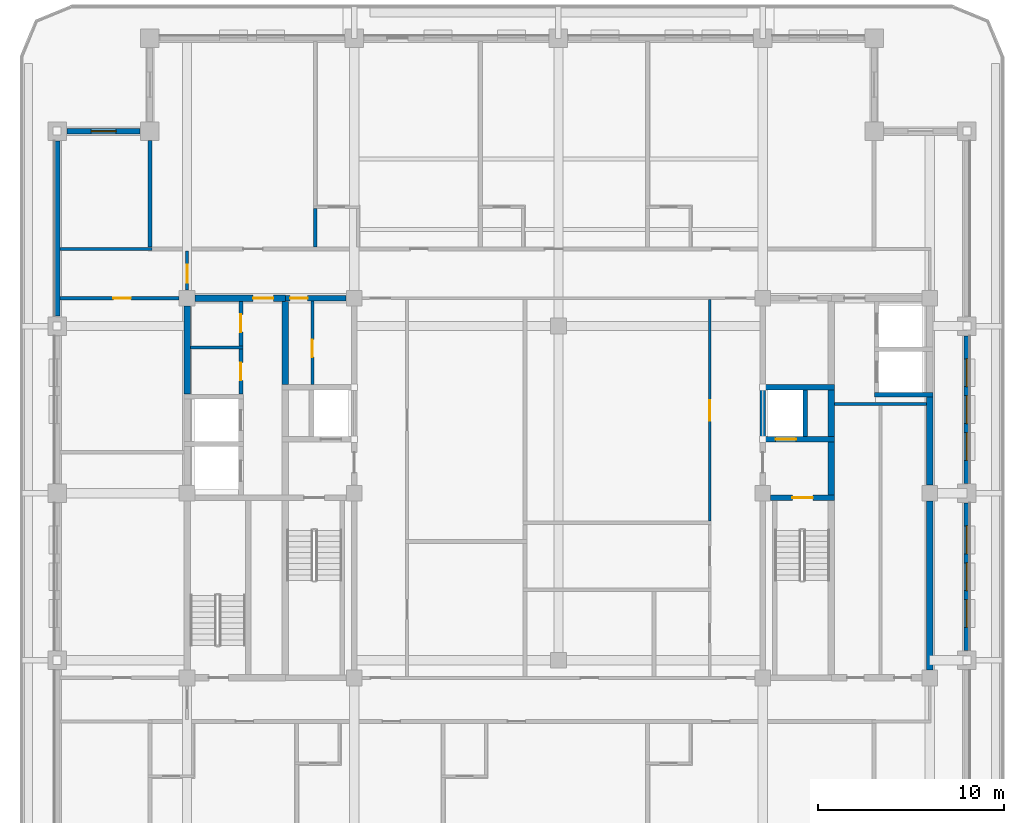
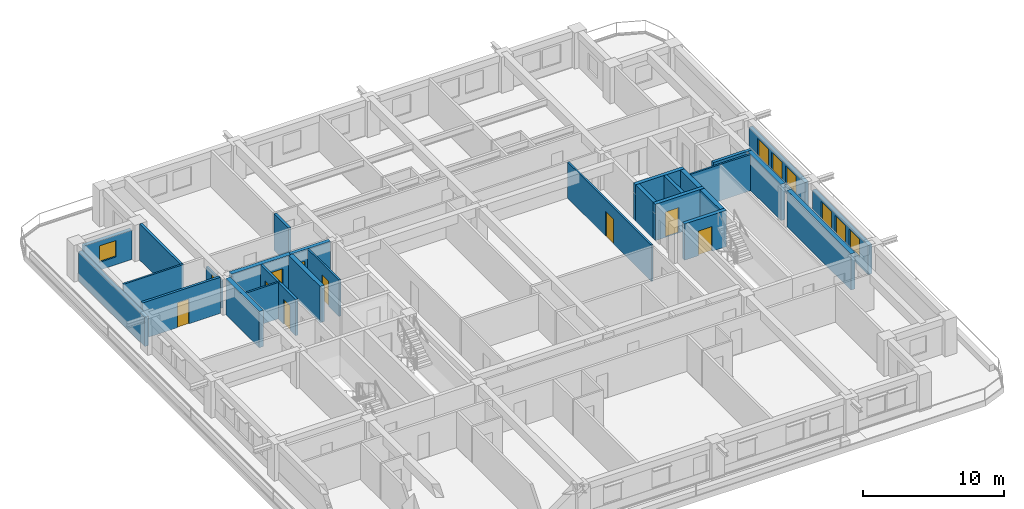
# One storey, part 5 of 14: 29 walls, 10 doors, 7 windows, 17 openings.
"""IFC4 building model written with IfcOpenShell, lengths in metres."""

from ifc_helpers import new_model, si_unit, direction, frame, frame_2d, origin, place, context, subcontext, project, spatial, rectangle, extrude, material, layer, layer_set, type_object, element, fill, save


model = new_model("IFC4")

# Units and contexts
model_context = context("Model", 3, precision=1e-05, world=origin(), true_north=direction((0.0, 1.0)))
body_context = subcontext(model_context, "Body", "Model", "MODEL_VIEW")
ifc_project = project(units=[si_unit("LENGTHUNIT", "METRE"), si_unit("AREAUNIT", "SQUARE_METRE"), si_unit("VOLUMEUNIT", "CUBIC_METRE"), si_unit("PLANEANGLEUNIT", "RADIAN"), si_unit("MASSUNIT", "GRAM", prefix="KILO")], contexts=[model_context])

# Site, building, storey
site_placement = place(None, origin())
site = spatial("IfcSite", under=ifc_project, at=site_placement, CompositionType="ELEMENT")
building_placement = place(site_placement, origin())
building = spatial("IfcBuilding", under=site, at=building_placement, Name="Zulmaris Gate Convention Tower", CompositionType="ELEMENT")
storey_placement = place(building_placement, frame((0.0, 0.0, 211.85986328125)))
storey = spatial("IfcBuildingStorey", under=building, at=storey_placement, Name="L55", CompositionType="ELEMENT", Elevation=211.85986328125)

# Walls
ifc_material_1 = material(Name="Concrete C50/60", Category="concrete")
ifc_layer_1 = layer(ifc_material_1, 0.25, Name="Concrete C50/60")
ifc_layer_set_1 = layer_set([ifc_layer_1], Name="Concrete C50/60")
wall_type_1 = type_object("IfcWallType", Name="CORE-250", PredefinedType="SOLIDWALL", material=ifc_layer_set_1)
wall_1_placement = place(storey_placement, frame((17.02490234375, 5.300048828125, 0.0), z_axis=(0.0, 0.0, 1.0), x_axis=(1.0, 0.0, 0.0)))
element("IfcWall", 1, at=wall_1_placement, inside=storey, type_object=wall_type_1, Name="WL-L55-011", PredefinedType="SOLIDWALL", context=body_context, shape_type="SweptSolid", body=[
    extrude(rectangle(XDim=3.150146484375, YDim=0.25, at=frame_2d((1.5751953125, 0.0))), origin(), (0.0, 0.0, 1.0), 3.150146484375),
])
wall_2_placement = place(storey_placement, frame((13.300048828125, 3.052001953125, 0.0), z_axis=(0.0, 0.0, 1.0), x_axis=(0.0, 1.0, 0.0)))
element("IfcWall", 2, at=wall_2_placement, inside=storey, type_object=wall_type_1, Name="WL-L55-064", PredefinedType="SOLIDWALL", context=body_context, shape_type="SweptSolid", body=[
    extrude(rectangle(XDim=2.49609375, YDim=0.25, at=frame_2d((1.248046875, 0.0))), origin(), (0.0, 0.0, 1.0), 3.150146484375),
])

# Wall, opening, door
ifc_layer_2 = layer(ifc_material_1, 0.300048828125, Name="Concrete C50/60")
ifc_layer_set_2 = layer_set([ifc_layer_2], Name="Concrete C50/60")
wall_type_2 = type_object("IfcWallType", Name="CORE-300", PredefinedType="SHEAR", material=ifc_layer_set_2)
wall_3_placement = place(storey_placement, frame((11.428955078125, -0.25, 0.0), z_axis=(0.0, 0.0, 1.0), x_axis=(1.0, 0.0, 0.0)))
wall_3 = element("IfcWall", 3, at=wall_3_placement, inside=storey, type_object=wall_type_2, Name="WL-L55-006", PredefinedType="SHEAR", context=body_context, shape_type="SweptSolid", body=[
    extrude(rectangle(XDim=3.446044921875, YDim=0.300048828125, at=frame_2d((1.72314453125, 0.0))), origin(), (0.0, 0.0, 1.0), 3.150146484375),
])
opening_1_placement = place(wall_3_placement, frame((1.1708984375, 0.0, 0.0)))
opening_1 = element("IfcOpeningElement", 4, at=opening_1_placement, cuts=wall_3, Name="Opening D-08", PredefinedType="OPENING", context=body_context, shape_type="SweptSolid", body=[
    extrude(rectangle(XDim=1.10009765625, YDim=2.14990234375, at=frame_2d((0.550048828125, 1.074951171875))), frame((0.0, 0.16015625, 0.0), z_axis=(0.0, -1.0, 0.0), x_axis=(1.0, 0.0, 0.0)), (0.0, 0.0, 1.0), 0.320068359375),
])
ifc_material_2 = material(Name="Fire-Rated Steel", Category="steel")
door_type_1 = type_object("IfcDoorType", Name="DR-1100-FD", OperationType="NOTDEFINED", PredefinedType="DOOR", material=ifc_material_2)
door_1_placement = place(opening_1_placement, origin())
door_1 = element("IfcDoor", 5, at=door_1_placement, inside=storey, type_object=door_type_1, Name="L55 Exit Stair ST-2 Door 04", OperationType="SINGLE_SWING_LEFT", OverallHeight=2.14990234375, OverallWidth=1.10009765625, PredefinedType="DOOR", context=body_context, shape_type="SweptSolid", body=[
    extrude(rectangle(XDim=1.10009765625, YDim=2.14990234375, at=frame_2d((0.550048828125, 1.074951171875))), frame((0.0, 0.02490234375, 0.0), z_axis=(0.0, -1.0, 0.0), x_axis=(1.0, 0.0, 0.0)), (0.0, 0.0, 1.0), 0.050048828125),
])
fill(opening_1, door_1)

wall_4_placement = place(storey_placement, frame((10.85009765625, 2.89990234375, 0.0), z_axis=(0.0, 0.0, 1.0), x_axis=(1.0, 0.0, 0.0)))
wall_4 = element("IfcWall", 6, at=wall_4_placement, inside=storey, type_object=wall_type_2, Name="WL-L55-009", PredefinedType="SHEAR", context=body_context, shape_type="SweptSolid", body=[
    extrude(rectangle(XDim=4.02490234375, YDim=0.300048828125, at=frame_2d((2.012451171875, 0.0))), origin(), (0.0, 0.0, 1.0), 3.150146484375),
])
opening_2_placement = place(wall_4_placement, frame((0.85009765625, 0.0, 0.0)))
opening_2 = element("IfcOpeningElement", 7, at=opening_2_placement, cuts=wall_4, Name="Opening D-06", PredefinedType="OPENING", context=body_context, shape_type="SweptSolid", body=[
    extrude(rectangle(XDim=1.10009765625, YDim=2.199951171875, at=frame_2d((0.550048828125, 1.10009765625))), frame((0.0, 0.16015625, 0.0), z_axis=(0.0, -1.0, 0.0), x_axis=(1.0, 0.0, 0.0)), (0.0, 0.0, 1.0), 0.320068359375),
])
ifc_material_3 = material(Name="Brushed Stainless Steel", Category="steel")
door_type_2 = type_object("IfcDoorType", Name="LD-1100", OperationType="NOTDEFINED", PredefinedType="DOOR", material=ifc_material_3)
door_2_placement = place(opening_2_placement, origin())
door_2 = element("IfcDoor", 8, at=door_2_placement, inside=storey, type_object=door_type_2, Name="L55 Lift Landing Door LF-02 06", OperationType="SLIDING_TO_RIGHT", OverallHeight=2.199951171875, OverallWidth=1.10009765625, PredefinedType="DOOR", context=body_context, shape_type="SweptSolid", body=[
    extrude(rectangle(XDim=1.10009765625, YDim=2.199951171875, at=frame_2d((0.550048828125, 1.10009765625))), frame((0.0, 0.02490234375, 0.0), z_axis=(0.0, -1.0, 0.0), x_axis=(1.0, 0.0, 0.0)), (0.0, 0.0, 1.0), 0.050048828125),
])
fill(opening_2, door_2)

# Wall
wall_5_placement = place(storey_placement, frame((10.85009765625, 5.699951171875, 0.0), z_axis=(0.0, 0.0, 1.0), x_axis=(1.0, 0.0, 0.0)))
element("IfcWall", 9, at=wall_5_placement, inside=storey, type_object=wall_type_2, Name="WL-L55-013", PredefinedType="SHEAR", context=body_context, shape_type="SweptSolid", body=[
    extrude(rectangle(XDim=4.02490234375, YDim=0.300048828125, at=frame_2d((2.012451171875, 0.0))), origin(), (0.0, 0.0, 1.0), 3.150146484375),
])

# Wall, opening, door
wall_6_placement = place(storey_placement, frame((-14.699951171875, 10.5, 0.0), z_axis=(0.0, 0.0, 1.0), x_axis=(1.0, 0.0, 0.0)))
wall_6 = element("IfcWall", 10, at=wall_6_placement, inside=storey, type_object=wall_type_2, Name="WL-L55-016", PredefinedType="SHEAR", context=body_context, shape_type="SweptSolid", body=[
    extrude(rectangle(XDim=3.27099609375, YDim=0.300048828125, at=frame_2d((1.635498046875, 0.0))), origin(), (0.0, 0.0, 1.0), 3.150146484375),
])
opening_3_placement = place(wall_6_placement, frame((0.2451171875, 0.0, 0.0)))
opening_3 = element("IfcOpeningElement", 11, at=opening_3_placement, cuts=wall_6, Name="Opening D-11", PredefinedType="OPENING", context=body_context, shape_type="SweptSolid", body=[
    extrude(rectangle(XDim=0.949951171875, YDim=2.14990234375, at=frame_2d((0.47509765625, 1.074951171875))), frame((0.0, 0.16015625, 0.0), z_axis=(0.0, -1.0, 0.0), x_axis=(1.0, 0.0, 0.0)), (0.0, 0.0, 1.0), 0.320068359375),
])
ifc_material_4 = material(Name="Fire-Rated Timber", Category="wood")
door_type_3 = type_object("IfcDoorType", Name="DR-950-FD", OperationType="NOTDEFINED", PredefinedType="DOOR", material=ifc_material_4)
door_3_placement = place(opening_3_placement, origin())
door_3 = element("IfcDoor", 12, at=door_3_placement, inside=storey, type_object=door_type_3, Name="L55 Core Mail Room Door 07", OperationType="SINGLE_SWING_LEFT", OverallHeight=2.14990234375, OverallWidth=0.949951171875, PredefinedType="DOOR", context=body_context, shape_type="SweptSolid", body=[
    extrude(rectangle(XDim=0.949951171875, YDim=2.14990234375, at=frame_2d((0.47509765625, 1.074951171875))), frame((0.0, 0.02490234375, 0.0), z_axis=(0.0, -1.0, 0.0), x_axis=(1.0, 0.0, 0.0)), (0.0, 0.0, 1.0), 0.050048828125),
])
fill(opening_3, door_3)

# Wall
wall_7_placement = place(storey_placement, frame((11.0, 3.052001953125, 0.0), z_axis=(0.0, 0.0, 1.0), x_axis=(0.0, 1.0, 0.0)))
element("IfcWall", 13, at=wall_7_placement, inside=storey, type_object=wall_type_2, Name="WL-L55-061", PredefinedType="SHEAR", context=body_context, shape_type="SweptSolid", body=[
    extrude(rectangle(XDim=2.49609375, YDim=0.300048828125, at=frame_2d((1.248046875, 0.0))), origin(), (0.0, 0.0, 1.0), 3.150146484375),
])

# Wall, opening, door
ifc_material_5 = material(Name="Concrete C55/67", Category="concrete")
ifc_layer_3 = layer(ifc_material_5, 0.35009765625, Name="Concrete C55/67")
ifc_layer_set_3 = layer_set([ifc_layer_3], Name="Concrete C55/67")
wall_type_3 = type_object("IfcWallType", Name="CORE-350", PredefinedType="SHEAR", material=ifc_layer_set_3)
wall_8_placement = place(storey_placement, frame((-19.571044921875, 10.5, 0.0), z_axis=(0.0, 0.0, 1.0), x_axis=(1.0, 0.0, 0.0)))
wall_8 = element("IfcWall", 14, at=wall_8_placement, inside=storey, type_object=wall_type_3, Name="WL-L55-015", PredefinedType="SHEAR", context=body_context, shape_type="SweptSolid", body=[
    extrude(rectangle(XDim=4.87109375, YDim=0.35009765625, at=frame_2d((2.435546875, 0.0))), origin(), (0.0, 0.0, 1.0), 3.150146484375),
])
opening_4_placement = place(wall_8_placement, frame((3.12109375, 0.0, 0.0)))
opening_4 = element("IfcOpeningElement", 15, at=opening_4_placement, cuts=wall_8, Name="Opening D-08", PredefinedType="OPENING", context=body_context, shape_type="SweptSolid", body=[
    extrude(rectangle(XDim=1.10009765625, YDim=2.14990234375, at=frame_2d((0.550048828125, 1.074951171875))), frame((0.0, 0.18505859375, 0.0), z_axis=(0.0, -1.0, 0.0), x_axis=(1.0, 0.0, 0.0)), (0.0, 0.0, 1.0), 0.3701171875),
])
door_4_placement = place(opening_4_placement, origin())
door_4 = element("IfcDoor", 16, at=door_4_placement, inside=storey, type_object=door_type_1, Name="L55 High-Rise West Lift Lobby Door 13", OperationType="SINGLE_SWING_LEFT", OverallHeight=2.14990234375, OverallWidth=1.10009765625, PredefinedType="DOOR", context=body_context, shape_type="SweptSolid", body=[
    extrude(rectangle(XDim=1.10009765625, YDim=2.14990234375, at=frame_2d((0.550048828125, 1.074951171875))), frame((0.0, 0.02490234375, 0.0), z_axis=(0.0, -1.0, 0.0), x_axis=(1.0, 0.0, 0.0)), (0.0, 0.0, 1.0), 0.050048828125),
])
fill(opening_4, door_4)

# Walls
wall_9_placement = place(storey_placement, frame((-20.0, 5.326904296875, 0.0), z_axis=(0.0, 0.0, 1.0), x_axis=(0.0, 1.0, 0.0)))
element("IfcWall", 17, at=wall_9_placement, inside=storey, type_object=wall_type_3, Name="WL-L55-045", PredefinedType="SHEAR", context=body_context, shape_type="SweptSolid", body=[
    extrude(rectangle(XDim=4.744140625, YDim=0.35009765625, at=frame_2d((2.3720703125, 0.0))), origin(), (0.0, 0.0, 1.0), 3.150146484375),
])
wall_10_placement = place(storey_placement, frame((-14.699951171875, 5.85205078125, 0.0), z_axis=(0.0, 0.0, 1.0), x_axis=(0.0, 1.0, 0.0)))
element("IfcWall", 18, at=wall_10_placement, inside=storey, type_object=wall_type_3, Name="WL-L55-052", PredefinedType="SHEAR", context=body_context, shape_type="SweptSolid", body=[
    extrude(rectangle(XDim=4.470947265625, YDim=0.35009765625, at=frame_2d((2.2353515625, 0.0))), origin(), (0.0, 0.0, 1.0), 3.150146484375),
])
wall_11_placement = place(storey_placement, frame((14.699951171875, -0.097900390625, 0.0), z_axis=(0.0, 0.0, 1.0), x_axis=(0.0, 1.0, 0.0)))
element("IfcWall", 19, at=wall_11_placement, inside=storey, type_object=wall_type_3, Name="WL-L55-066", PredefinedType="SHEAR", context=body_context, shape_type="SweptSolid", body=[
    extrude(rectangle(XDim=2.845947265625, YDim=0.35009765625, at=frame_2d((1.4228515625, 0.0))), origin(), (0.0, 0.0, 1.0), 3.150146484375),
])
wall_12_placement = place(storey_placement, frame((14.699951171875, 3.052001953125, 0.0), z_axis=(0.0, 0.0, 1.0), x_axis=(0.0, 1.0, 0.0)))
element("IfcWall", 20, at=wall_12_placement, inside=storey, type_object=wall_type_3, Name="WL-L55-067", PredefinedType="SHEAR", context=body_context, shape_type="SweptSolid", body=[
    extrude(rectangle(XDim=2.49609375, YDim=0.35009765625, at=frame_2d((1.248046875, 0.0))), origin(), (0.0, 0.0, 1.0), 3.150146484375),
])
wall_13_placement = place(storey_placement, frame((20.0, -9.52099609375, 0.0), z_axis=(0.0, 0.0, 1.0), x_axis=(0.0, 1.0, 0.0)))
element("IfcWall", 21, at=wall_13_placement, inside=storey, type_object=wall_type_3, Name="WL-L55-071", PredefinedType="SHEAR", context=body_context, shape_type="SweptSolid", body=[
    extrude(rectangle(XDim=9.092041015625, YDim=0.35009765625, at=frame_2d((4.5458984375, 0.0))), origin(), (0.0, 0.0, 1.0), 3.150146484375),
])
wall_14_placement = place(storey_placement, frame((20.0, 0.428955078125, 0.0), z_axis=(0.0, 0.0, 1.0), x_axis=(0.0, 1.0, 0.0)))
element("IfcWall", 22, at=wall_14_placement, inside=storey, type_object=wall_type_3, Name="WL-L55-071S1", PredefinedType="SHEAR", context=body_context, shape_type="SweptSolid", body=[
    extrude(rectangle(XDim=4.744140625, YDim=0.35009765625, at=frame_2d((2.3720703125, 0.0))), origin(), (0.0, 0.0, 1.0), 3.150146484375),
])
ifc_material_6 = material(Name="Gypsum Metal Stud Partition")
ifc_layer_4 = layer(ifc_material_6, 0.14990234375, Name="Gypsum Metal Stud Partition")
ifc_layer_set_4 = layer_set([ifc_layer_4], Name="Gypsum Metal Stud Partition")
wall_type_4 = type_object("IfcWallType", Name="PART-150", PredefinedType="PARTITIONING", material=ifc_layer_set_4)
wall_15_placement = place(storey_placement, frame((14.8779296875, 4.800048828125, 0.0), z_axis=(0.0, 0.0, 1.0), x_axis=(1.0, 0.0, 0.0)))
element("IfcWall", 23, at=wall_15_placement, inside=storey, type_object=wall_type_4, Name="WL-L55-032", PredefinedType="PARTITIONING", context=body_context, shape_type="SweptSolid", body=[
    extrude(rectangle(XDim=4.944091796875, YDim=0.14990234375, at=frame_2d((2.47216796875, 0.0))), origin(), (0.0, 0.0, 1.0), 3.150146484375),
])
wall_16_placement = place(storey_placement, frame((-19.822021484375, 7.85009765625, 0.0), z_axis=(0.0, 0.0, 1.0), x_axis=(1.0, 0.0, 0.0)))
element("IfcWall", 24, at=wall_16_placement, inside=storey, type_object=wall_type_4, Name="WL-L55-033", PredefinedType="PARTITIONING", context=body_context, shape_type="SweptSolid", body=[
    extrude(rectangle(XDim=2.822021484375, YDim=0.14990234375, at=frame_2d((1.4111328125, 0.0))), origin(), (0.0, 0.0, 1.0), 3.150146484375),
])
wall_17_placement = place(storey_placement, frame((-26.8349609375, 13.14990234375, 0.0), z_axis=(0.0, 0.0, 1.0), x_axis=(1.0, 0.0, 0.0)))
element("IfcWall", 25, at=wall_17_placement, inside=storey, type_object=wall_type_4, Name="WL-L55-036", PredefinedType="PARTITIONING", context=body_context, shape_type="SweptSolid", body=[
    extrude(rectangle(XDim=4.93505859375, YDim=0.14990234375, at=frame_2d((2.467529296875, 0.0))), origin(), (0.0, 0.0, 1.0), 3.150146484375),
])

# Wall, opening, door
wall_18_placement = place(storey_placement, frame((-20.0, 10.930908203125, 0.0), z_axis=(0.0, 0.0, 1.0), x_axis=(0.0, 1.0, 0.0)))
wall_18 = element("IfcWall", 26, at=wall_18_placement, inside=storey, type_object=wall_type_4, Name="WL-L55-078", PredefinedType="PARTITIONING", context=body_context, shape_type="SweptSolid", body=[
    extrude(rectangle(XDim=2.1162109375, YDim=0.14990234375, at=frame_2d((1.05810546875, 0.0))), origin(), (0.0, 0.0, 1.0), 2.342041015625),
])
opening_5_placement = place(wall_18_placement, frame((0.4140625, 0.0, 0.0)))
opening_5 = element("IfcOpeningElement", 27, at=opening_5_placement, cuts=wall_18, Name="Opening D-11", PredefinedType="OPENING", context=body_context, shape_type="SweptSolid", body=[
    extrude(rectangle(XDim=0.949951171875, YDim=2.14990234375, at=frame_2d((0.47509765625, 1.074951171875))), frame((0.0, 0.0849609375, 0.0), z_axis=(0.0, -1.0, 0.0), x_axis=(1.0, 0.0, 0.0)), (0.0, 0.0, 1.0), 0.169921875),
])
door_5_placement = place(opening_5_placement, origin())
door_5 = element("IfcDoor", 28, at=door_5_placement, inside=storey, type_object=door_type_3, Name="L55 West Spur Door 46", OperationType="SINGLE_SWING_RIGHT", OverallHeight=2.14990234375, OverallWidth=0.949951171875, PredefinedType="DOOR", context=body_context, shape_type="SweptSolid", body=[
    extrude(rectangle(XDim=0.949951171875, YDim=2.14990234375, at=frame_2d((0.47509765625, 1.074951171875))), frame((0.0, 0.02490234375, 0.0), z_axis=(0.0, -1.0, 0.0), x_axis=(1.0, 0.0, 0.0)), (0.0, 0.0, 1.0), 0.050048828125),
])
fill(opening_5, door_5)

wall_19_placement = place(storey_placement, frame((-13.25, 5.85302734375, 0.0), z_axis=(0.0, 0.0, 1.0), x_axis=(0.0, 1.0, 0.0)))
wall_19 = element("IfcWall", 29, at=wall_19_placement, inside=storey, type_object=wall_type_4, Name="WL-L55-084", PredefinedType="PARTITIONING", context=body_context, shape_type="SweptSolid", body=[
    extrude(rectangle(XDim=4.493896484375, YDim=0.14990234375, at=frame_2d((2.2470703125, 0.0))), origin(), (0.0, 0.0, 1.0), 3.150146484375),
])
opening_6_placement = place(wall_19_placement, frame((1.471923828125, 0.0, 0.0)))
opening_6 = element("IfcOpeningElement", 30, at=opening_6_placement, cuts=wall_19, Name="Opening D-11", PredefinedType="OPENING", context=body_context, shape_type="SweptSolid", body=[
    extrude(rectangle(XDim=0.949951171875, YDim=2.14990234375, at=frame_2d((0.47509765625, 1.074951171875))), frame((0.0, 0.0849609375, 0.0), z_axis=(0.0, -1.0, 0.0), x_axis=(1.0, 0.0, 0.0)), (0.0, 0.0, 1.0), 0.169921875),
])
door_6_placement = place(opening_6_placement, origin())
door_6 = element("IfcDoor", 31, at=door_6_placement, inside=storey, type_object=door_type_3, Name="L55 Core Janitor Door 08", OperationType="SINGLE_SWING_RIGHT", OverallHeight=2.14990234375, OverallWidth=0.949951171875, PredefinedType="DOOR", context=body_context, shape_type="SweptSolid", body=[
    extrude(rectangle(XDim=0.949951171875, YDim=2.14990234375, at=frame_2d((0.47509765625, 1.074951171875))), frame((0.0, 0.02490234375, 0.0), z_axis=(0.0, -1.0, 0.0), x_axis=(1.0, 0.0, 0.0)), (0.0, 0.0, 1.0), 0.050048828125),
])
fill(opening_6, door_6)

wall_20_placement = place(storey_placement, frame((8.14990234375, -1.4970703125, 0.0), z_axis=(0.0, 0.0, 1.0), x_axis=(0.0, 1.0, 0.0)))
wall_20 = element("IfcWall", 32, at=wall_20_placement, inside=storey, type_object=wall_type_4, Name="WL-L55-110", PredefinedType="PARTITIONING", context=body_context, shape_type="SweptSolid", body=[
    extrude(rectangle(XDim=11.919189453125, YDim=0.14990234375, at=frame_2d((5.95947265625, 0.0))), origin(), (0.0, 0.0, 1.0), 3.150146484375),
])
opening_7_placement = place(wall_20_placement, frame((5.39697265625, 0.0, 0.0)))
opening_7 = element("IfcOpeningElement", 33, at=opening_7_placement, cuts=wall_20, Name="Opening D-08", PredefinedType="OPENING", context=body_context, shape_type="SweptSolid", body=[
    extrude(rectangle(XDim=1.10009765625, YDim=2.14990234375, at=frame_2d((0.550048828125, 1.074951171875))), frame((0.0, 0.0849609375, 0.0), z_axis=(0.0, -1.0, 0.0), x_axis=(1.0, 0.0, 0.0)), (0.0, 0.0, 1.0), 0.169921875),
])
door_7_placement = place(opening_7_placement, origin())
door_7 = element("IfcDoor", 34, at=door_7_placement, inside=storey, type_object=door_type_1, Name="L55 Breakout Room Door 42", OperationType="SINGLE_SWING_RIGHT", OverallHeight=2.14990234375, OverallWidth=1.10009765625, PredefinedType="DOOR", context=body_context, shape_type="SweptSolid", body=[
    extrude(rectangle(XDim=1.10009765625, YDim=2.14990234375, at=frame_2d((0.550048828125, 1.074951171875))), frame((0.0, 0.02490234375, 0.0), z_axis=(0.0, -1.0, 0.0), x_axis=(1.0, 0.0, 0.0)), (0.0, 0.0, 1.0), 0.050048828125),
])
fill(opening_7, door_7)

ifc_material_7 = material(Name="Autoclaved Aerated Concrete Block and Plasterboard", Category="concrete")
ifc_layer_5 = layer(ifc_material_7, 0.199951171875, Name="Autoclaved Aerated Concrete Block and Plasterboard")
ifc_layer_set_5 = layer_set([ifc_layer_5], Name="Autoclaved Aerated Concrete Block and Plasterboard")
wall_type_5 = type_object("IfcWallType", Name="PART-200", PredefinedType="PARTITIONING", material=ifc_layer_set_5)
wall_21_placement = place(storey_placement, frame((-26.8349609375, 10.5, 0.0), z_axis=(0.0, 0.0, 1.0), x_axis=(1.0, 0.0, 0.0)))
wall_21 = element("IfcWall", 35, at=wall_21_placement, inside=storey, type_object=wall_type_5, Name="WL-L55-034", PredefinedType="PARTITIONING", context=body_context, shape_type="SweptSolid", body=[
    extrude(rectangle(XDim=6.404052734375, YDim=0.199951171875, at=frame_2d((3.2021484375, 0.0))), origin(), (0.0, 0.0, 1.0), 3.150146484375),
])
opening_8_placement = place(wall_21_placement, frame((2.860107421875, 0.0, 0.0)))
opening_8 = element("IfcOpeningElement", 36, at=opening_8_placement, cuts=wall_21, Name="Opening D-11", PredefinedType="OPENING", context=body_context, shape_type="SweptSolid", body=[
    extrude(rectangle(XDim=0.949951171875, YDim=2.14990234375, at=frame_2d((0.47509765625, 1.074951171875))), frame((0.0, 0.10986328125, 0.0), z_axis=(0.0, -1.0, 0.0), x_axis=(1.0, 0.0, 0.0)), (0.0, 0.0, 1.0), 0.219970703125),
])
door_8_placement = place(opening_8_placement, origin())
door_8 = element("IfcDoor", 37, at=door_8_placement, inside=storey, type_object=door_type_3, Name="L55 Sunset Lounge Door 48", OperationType="SINGLE_SWING_RIGHT", OverallHeight=2.14990234375, OverallWidth=0.949951171875, PredefinedType="DOOR", context=body_context, shape_type="SweptSolid", body=[
    extrude(rectangle(XDim=0.949951171875, YDim=2.14990234375, at=frame_2d((0.47509765625, 1.074951171875))), frame((0.0, 0.02490234375, 0.0), z_axis=(0.0, -1.0, 0.0), x_axis=(1.0, 0.0, 0.0)), (0.0, 0.0, 1.0), 0.050048828125),
])
fill(opening_8, door_8)

# Wall
wall_22_placement = place(storey_placement, frame((-22.0, 13.2529296875, 0.0), z_axis=(0.0, 0.0, 1.0), x_axis=(0.0, 1.0, 0.0)))
element("IfcWall", 38, at=wall_22_placement, inside=storey, type_object=wall_type_5, Name="WL-L55-076", PredefinedType="PARTITIONING", context=body_context, shape_type="SweptSolid", body=[
    extrude(rectangle(XDim=5.740966796875, YDim=0.199951171875, at=frame_2d((2.87060546875, 0.0))), origin(), (0.0, 0.0, 1.0), 3.150146484375),
])

# Wall, opening, door
wall_23_placement = place(storey_placement, frame((-17.10009765625, 5.327880859375, 0.0), z_axis=(0.0, 0.0, 1.0), x_axis=(0.0, 1.0, 0.0)))
wall_23 = element("IfcWall", 39, at=wall_23_placement, inside=storey, type_object=wall_type_5, Name="WL-L55-080", PredefinedType="PARTITIONING", context=body_context, shape_type="SweptSolid", body=[
    extrude(rectangle(XDim=2.444091796875, YDim=0.199951171875, at=frame_2d((1.22216796875, 0.0))), origin(), (0.0, 0.0, 1.0), 3.150146484375),
])
opening_9_placement = place(wall_23_placement, frame((0.7470703125, 0.0, 0.0)))
opening_9 = element("IfcOpeningElement", 40, at=opening_9_placement, cuts=wall_23, Name="Opening D-11", PredefinedType="OPENING", context=body_context, shape_type="SweptSolid", body=[
    extrude(rectangle(XDim=0.949951171875, YDim=2.14990234375, at=frame_2d((0.47509765625, 1.074951171875))), frame((0.0, 0.10986328125, 0.0), z_axis=(0.0, -1.0, 0.0), x_axis=(1.0, 0.0, 0.0)), (0.0, 0.0, 1.0), 0.219970703125),
])
door_9_placement = place(opening_9_placement, origin())
door_9 = element("IfcDoor", 41, at=door_9_placement, inside=storey, type_object=door_type_3, Name="L55 Valet Closet Door 15", OperationType="SINGLE_SWING_LEFT", OverallHeight=2.14990234375, OverallWidth=0.949951171875, PredefinedType="DOOR", context=body_context, shape_type="SweptSolid", body=[
    extrude(rectangle(XDim=0.949951171875, YDim=2.14990234375, at=frame_2d((0.47509765625, 1.074951171875))), frame((0.0, 0.02490234375, 0.0), z_axis=(0.0, -1.0, 0.0), x_axis=(1.0, 0.0, 0.0)), (0.0, 0.0, 1.0), 0.050048828125),
])
fill(opening_9, door_9)

wall_24_placement = place(storey_placement, frame((-17.10009765625, 7.927978515625, 0.0), z_axis=(0.0, 0.0, 1.0), x_axis=(0.0, 1.0, 0.0)))
wall_24 = element("IfcWall", 42, at=wall_24_placement, inside=storey, type_object=wall_type_5, Name="WL-L55-081", PredefinedType="PARTITIONING", context=body_context, shape_type="SweptSolid", body=[
    extrude(rectangle(XDim=2.39404296875, YDim=0.199951171875, at=frame_2d((1.197021484375, 0.0))), origin(), (0.0, 0.0, 1.0), 3.150146484375),
])
opening_10_placement = place(wall_24_placement, frame((0.7470703125, 0.0, 0.0)))
opening_10 = element("IfcOpeningElement", 43, at=opening_10_placement, cuts=wall_24, Name="Opening D-11", PredefinedType="OPENING", context=body_context, shape_type="SweptSolid", body=[
    extrude(rectangle(XDim=0.949951171875, YDim=2.14990234375, at=frame_2d((0.47509765625, 1.074951171875))), frame((0.0, 0.10986328125, 0.0), z_axis=(0.0, -1.0, 0.0), x_axis=(1.0, 0.0, 0.0)), (0.0, 0.0, 1.0), 0.219970703125),
])
door_10_placement = place(opening_10_placement, origin())
door_10 = element("IfcDoor", 44, at=door_10_placement, inside=storey, type_object=door_type_3, Name="L55 Housekeeping Door 14", OperationType="SINGLE_SWING_RIGHT", OverallHeight=2.14990234375, OverallWidth=0.949951171875, PredefinedType="DOOR", context=body_context, shape_type="SweptSolid", body=[
    extrude(rectangle(XDim=0.949951171875, YDim=2.14990234375, at=frame_2d((0.47509765625, 1.074951171875))), frame((0.0, 0.02490234375, 0.0), z_axis=(0.0, -1.0, 0.0), x_axis=(1.0, 0.0, 0.0)), (0.0, 0.0, 1.0), 0.050048828125),
])
fill(opening_10, door_10)

# Wall
wall_25_placement = place(storey_placement, frame((-13.10009765625, 13.2529296875, 0.0), z_axis=(0.0, 0.0, 1.0), x_axis=(0.0, 1.0, 0.0)))
element("IfcWall", 45, at=wall_25_placement, inside=storey, type_object=wall_type_5, Name="WL-L55-085", PredefinedType="PARTITIONING", context=body_context, shape_type="SweptSolid", body=[
    extrude(rectangle(XDim=2.069091796875, YDim=0.199951171875, at=frame_2d((1.03466796875, 0.0))), origin(), (0.0, 0.0, 1.0), 3.150146484375),
])

# Wall, opening, window
ifc_material_8 = material(Name="Precast concrete C40/50", Category="concrete")
ifc_layer_6 = layer(ifc_material_8, 0.300048828125, Name="Precast concrete C40/50")
ifc_layer_set_6 = layer_set([ifc_layer_6], Name="Precast concrete C40/50")
wall_type_6 = type_object("IfcWallType", Name="PRECAST-PIER-300", PredefinedType="STANDARD", material=ifc_layer_set_6)
wall_26_placement = place(storey_placement, frame((-22.530029296875, 19.5, 0.0), z_axis=(0.0, 0.0, 1.0), x_axis=(-1.0, 0.0, 0.0)))
wall_26 = element("IfcWall", 46, at=wall_26_placement, inside=storey, type_object=wall_type_6, Name="EW-L55-NOTCH-NW2_0", PredefinedType="STANDARD", context=body_context, shape_type="SweptSolid", body=[
    extrude(rectangle(XDim=3.93994140625, YDim=0.300048828125, at=frame_2d((1.969970703125, 0.0))), origin(), (0.0, 0.0, 1.0), 2.542236328125),
])
opening_11_placement = place(wall_26_placement, frame((1.294921875, 0.0, 0.679931640625)))
opening_11 = element("IfcOpeningElement", 47, at=opening_11_placement, cuts=wall_26, Name="Opening W-10", PredefinedType="OPENING", context=body_context, shape_type="SweptSolid", body=[
    extrude(rectangle(XDim=1.35009765625, YDim=1.419921875, at=frame_2d((0.675048828125, 0.7099609375))), frame((0.0, 0.16015625, 0.0), z_axis=(0.0, -1.0, 0.0), x_axis=(1.0, 0.0, 0.0)), (0.0, 0.0, 1.0), 0.320068359375),
])
ifc_material_9 = material(Name="Low-E Laminated Double Glazing in Aluminium Frame", Category="aluminium")
window_type_1 = type_object("IfcWindowType", Name="WIN-1350x2000", PartitioningType="SINGLE_PANEL", PredefinedType="WINDOW", material=ifc_material_9)
window_1_placement = place(opening_11_placement, origin())
window_1 = element("IfcWindow", 48, at=window_1_placement, inside=storey, type_object=window_type_1, Name="WN-EW-L55-NOTCH-NW2_0", OverallHeight=1.419921875, OverallWidth=1.35009765625, PartitioningType="SINGLE_PANEL", PredefinedType="WINDOW", context=body_context, shape_type="SweptSolid", body=[
    extrude(rectangle(XDim=1.35009765625, YDim=1.419921875, at=frame_2d((0.675048828125, 0.7099609375))), frame((0.0, 0.030029296875, 0.0), z_axis=(0.0, -1.0, 0.0), x_axis=(1.0, 0.0, 0.0)), (0.0, 0.0, 1.0), 0.06005859375),
])
fill(opening_11, window_1)

# Wall, openings, windows
wall_27_placement = place(storey_placement, frame((22.0, -8.469970703125, 0.0), z_axis=(0.0, 0.0, 1.0), x_axis=(0.0, 1.0, 0.0)))
wall_27 = element("IfcWall", 49, at=wall_27_placement, inside=storey, type_object=wall_type_6, Name="EW-L55-E-1_0", PredefinedType="STANDARD", context=body_context, shape_type="SweptSolid", body=[
    extrude(rectangle(XDim=7.93994140625, YDim=0.300048828125, at=frame_2d((3.969970703125, 0.0))), origin(), (0.0, 0.0, 1.0), 2.542236328125),
])
opening_12_placement = place(wall_27_placement, frame((1.235107421875, 0.0, 0.719970703125)))
opening_12 = element("IfcOpeningElement", 50, at=opening_12_placement, cuts=wall_27, Name="Opening W-03", PredefinedType="OPENING", context=body_context, shape_type="SweptSolid", body=[
    extrude(rectangle(XDim=1.5, YDim=1.60009765625, at=frame_2d((0.75, 0.800048828125))), frame((0.0, 0.16015625, 0.0), z_axis=(0.0, -1.0, 0.0), x_axis=(1.0, 0.0, 0.0)), (0.0, 0.0, 1.0), 0.320068359375),
])
opening_13_placement = place(wall_27_placement, frame((3.219970703125, 0.0, 0.719970703125)))
opening_13 = element("IfcOpeningElement", 51, at=opening_13_placement, cuts=wall_27, Name="Opening W-03", PredefinedType="OPENING", context=body_context, shape_type="SweptSolid", body=[
    extrude(rectangle(XDim=1.5, YDim=1.60009765625, at=frame_2d((0.75, 0.800048828125))), frame((0.0, 0.16015625, 0.0), z_axis=(0.0, -1.0, 0.0), x_axis=(1.0, 0.0, 0.0)), (0.0, 0.0, 1.0), 0.320068359375),
])
opening_14_placement = place(wall_27_placement, frame((5.205078125, 0.0, 0.719970703125)))
opening_14 = element("IfcOpeningElement", 52, at=opening_14_placement, cuts=wall_27, Name="Opening W-03", PredefinedType="OPENING", context=body_context, shape_type="SweptSolid", body=[
    extrude(rectangle(XDim=1.5, YDim=1.60009765625, at=frame_2d((0.75, 0.800048828125))), frame((0.0, 0.16015625, 0.0), z_axis=(0.0, -1.0, 0.0), x_axis=(1.0, 0.0, 0.0)), (0.0, 0.0, 1.0), 0.320068359375),
])
window_type_2 = type_object("IfcWindowType", Name="WIN-1500x2100", PartitioningType="SINGLE_PANEL", PredefinedType="WINDOW", material=ifc_material_9)
window_2_placement = place(opening_12_placement, origin())
window_2 = element("IfcWindow", 53, at=window_2_placement, inside=storey, type_object=window_type_2, Name="WN-EW-L55-E-1_0-1", OverallHeight=1.60009765625, OverallWidth=1.5, PartitioningType="SINGLE_PANEL", PredefinedType="WINDOW", context=body_context, shape_type="SweptSolid", body=[
    extrude(rectangle(XDim=1.5, YDim=1.60009765625, at=frame_2d((0.75, 0.800048828125))), frame((0.0, 0.030029296875, 0.0), z_axis=(0.0, -1.0, 0.0), x_axis=(1.0, 0.0, 0.0)), (0.0, 0.0, 1.0), 0.06005859375),
])
fill(opening_12, window_2)
window_3_placement = place(opening_13_placement, origin())
window_3 = element("IfcWindow", 54, at=window_3_placement, inside=storey, type_object=window_type_2, Name="WN-EW-L55-E-1_0-2", OverallHeight=1.60009765625, OverallWidth=1.5, PartitioningType="SINGLE_PANEL", PredefinedType="WINDOW", context=body_context, shape_type="SweptSolid", body=[
    extrude(rectangle(XDim=1.5, YDim=1.60009765625, at=frame_2d((0.75, 0.800048828125))), frame((0.0, 0.030029296875, 0.0), z_axis=(0.0, -1.0, 0.0), x_axis=(1.0, 0.0, 0.0)), (0.0, 0.0, 1.0), 0.06005859375),
])
fill(opening_13, window_3)
window_4_placement = place(opening_14_placement, origin())
window_4 = element("IfcWindow", 55, at=window_4_placement, inside=storey, type_object=window_type_2, Name="WN-EW-L55-E-1_0-3", OverallHeight=1.60009765625, OverallWidth=1.5, PartitioningType="SINGLE_PANEL", PredefinedType="WINDOW", context=body_context, shape_type="SweptSolid", body=[
    extrude(rectangle(XDim=1.5, YDim=1.60009765625, at=frame_2d((0.75, 0.800048828125))), frame((0.0, 0.030029296875, 0.0), z_axis=(0.0, -1.0, 0.0), x_axis=(1.0, 0.0, 0.0)), (0.0, 0.0, 1.0), 0.06005859375),
])
fill(opening_14, window_4)

wall_28_placement = place(storey_placement, frame((22.0, 0.530029296875, 0.0), z_axis=(0.0, 0.0, 1.0), x_axis=(0.0, 1.0, 0.0)))
wall_28 = element("IfcWall", 56, at=wall_28_placement, inside=storey, type_object=wall_type_6, Name="EW-L55-E-2_0", PredefinedType="STANDARD", context=body_context, shape_type="SweptSolid", body=[
    extrude(rectangle(XDim=7.93994140625, YDim=0.300048828125, at=frame_2d((3.969970703125, 0.0))), origin(), (0.0, 0.0, 1.0), 2.542236328125),
])
opening_15_placement = place(wall_28_placement, frame((1.235107421875, 0.0, 0.719970703125)))
opening_15 = element("IfcOpeningElement", 57, at=opening_15_placement, cuts=wall_28, Name="Opening W-03", PredefinedType="OPENING", context=body_context, shape_type="SweptSolid", body=[
    extrude(rectangle(XDim=1.5, YDim=1.60009765625, at=frame_2d((0.75, 0.800048828125))), frame((0.0, 0.16015625, 0.0), z_axis=(0.0, -1.0, 0.0), x_axis=(1.0, 0.0, 0.0)), (0.0, 0.0, 1.0), 0.320068359375),
])
opening_16_placement = place(wall_28_placement, frame((3.219970703125, 0.0, 0.719970703125)))
opening_16 = element("IfcOpeningElement", 58, at=opening_16_placement, cuts=wall_28, Name="Opening W-03", PredefinedType="OPENING", context=body_context, shape_type="SweptSolid", body=[
    extrude(rectangle(XDim=1.5, YDim=1.60009765625, at=frame_2d((0.75, 0.800048828125))), frame((0.0, 0.16015625, 0.0), z_axis=(0.0, -1.0, 0.0), x_axis=(1.0, 0.0, 0.0)), (0.0, 0.0, 1.0), 0.320068359375),
])
opening_17_placement = place(wall_28_placement, frame((5.205078125, 0.0, 0.719970703125)))
opening_17 = element("IfcOpeningElement", 59, at=opening_17_placement, cuts=wall_28, Name="Opening W-03", PredefinedType="OPENING", context=body_context, shape_type="SweptSolid", body=[
    extrude(rectangle(XDim=1.5, YDim=1.60009765625, at=frame_2d((0.75, 0.800048828125))), frame((0.0, 0.16015625, 0.0), z_axis=(0.0, -1.0, 0.0), x_axis=(1.0, 0.0, 0.0)), (0.0, 0.0, 1.0), 0.320068359375),
])
window_5_placement = place(opening_15_placement, origin())
window_5 = element("IfcWindow", 60, at=window_5_placement, inside=storey, type_object=window_type_2, Name="WN-EW-L55-E-2_0-1", OverallHeight=1.60009765625, OverallWidth=1.5, PartitioningType="SINGLE_PANEL", PredefinedType="WINDOW", context=body_context, shape_type="SweptSolid", body=[
    extrude(rectangle(XDim=1.5, YDim=1.60009765625, at=frame_2d((0.75, 0.800048828125))), frame((0.0, 0.030029296875, 0.0), z_axis=(0.0, -1.0, 0.0), x_axis=(1.0, 0.0, 0.0)), (0.0, 0.0, 1.0), 0.06005859375),
])
fill(opening_15, window_5)
window_6_placement = place(opening_16_placement, origin())
window_6 = element("IfcWindow", 61, at=window_6_placement, inside=storey, type_object=window_type_2, Name="WN-EW-L55-E-2_0-2", OverallHeight=1.60009765625, OverallWidth=1.5, PartitioningType="SINGLE_PANEL", PredefinedType="WINDOW", context=body_context, shape_type="SweptSolid", body=[
    extrude(rectangle(XDim=1.5, YDim=1.60009765625, at=frame_2d((0.75, 0.800048828125))), frame((0.0, 0.030029296875, 0.0), z_axis=(0.0, -1.0, 0.0), x_axis=(1.0, 0.0, 0.0)), (0.0, 0.0, 1.0), 0.06005859375),
])
fill(opening_16, window_6)
window_7_placement = place(opening_17_placement, origin())
window_7 = element("IfcWindow", 62, at=window_7_placement, inside=storey, type_object=window_type_2, Name="WN-EW-L55-E-2_0-3", OverallHeight=1.60009765625, OverallWidth=1.5, PartitioningType="SINGLE_PANEL", PredefinedType="WINDOW", context=body_context, shape_type="SweptSolid", body=[
    extrude(rectangle(XDim=1.5, YDim=1.60009765625, at=frame_2d((0.75, 0.800048828125))), frame((0.0, 0.030029296875, 0.0), z_axis=(0.0, -1.0, 0.0), x_axis=(1.0, 0.0, 0.0)), (0.0, 0.0, 1.0), 0.06005859375),
])
fill(opening_17, window_7)

# Wall
wall_29_placement = place(storey_placement, frame((-27.0, 18.969970703125, 0.0), z_axis=(0.0, 0.0, 1.0), x_axis=(0.0, -1.0, 0.0)))
element("IfcWall", 63, at=wall_29_placement, inside=storey, type_object=wall_type_6, Name="EW-L55-W-3_0", PredefinedType="STANDARD", context=body_context, shape_type="SweptSolid", body=[
    extrude(rectangle(XDim=9.43994140625, YDim=0.300048828125, at=frame_2d((4.719970703125, 0.0))), origin(), (0.0, 0.0, 1.0), 2.542236328125),
])

save(model, "model.ifc")
